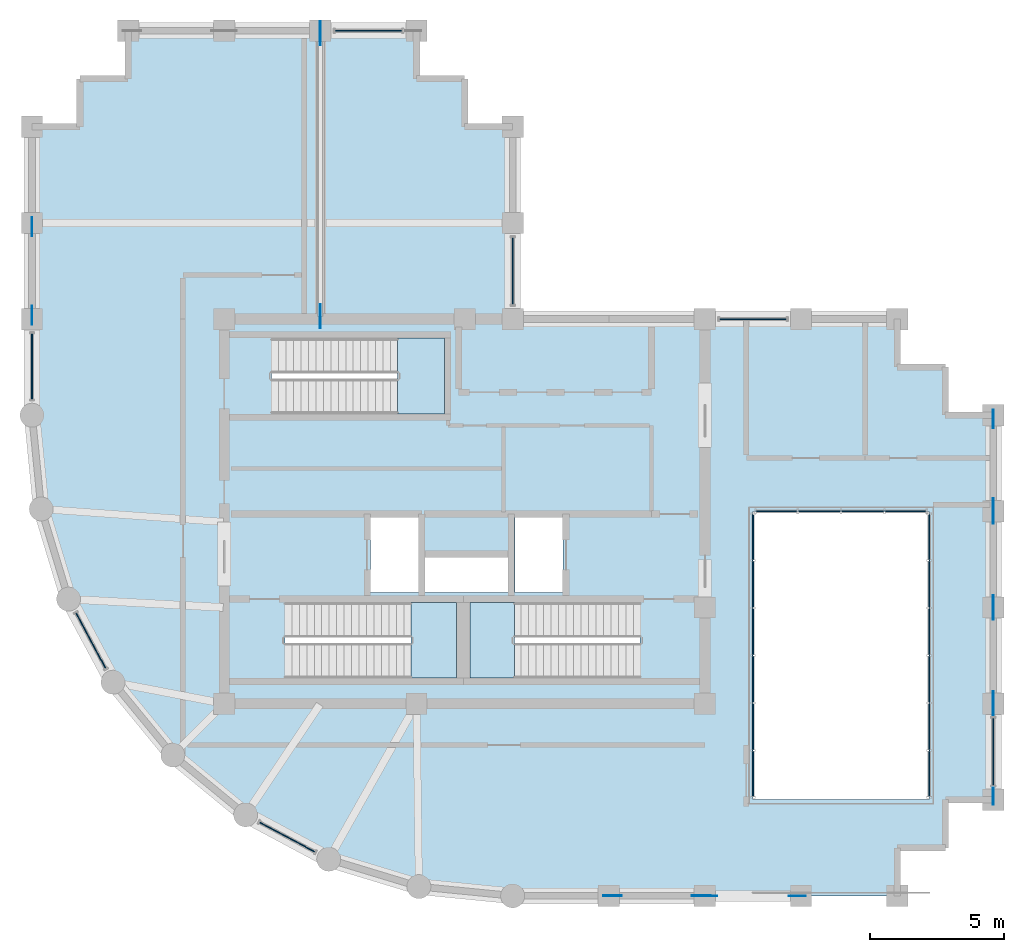
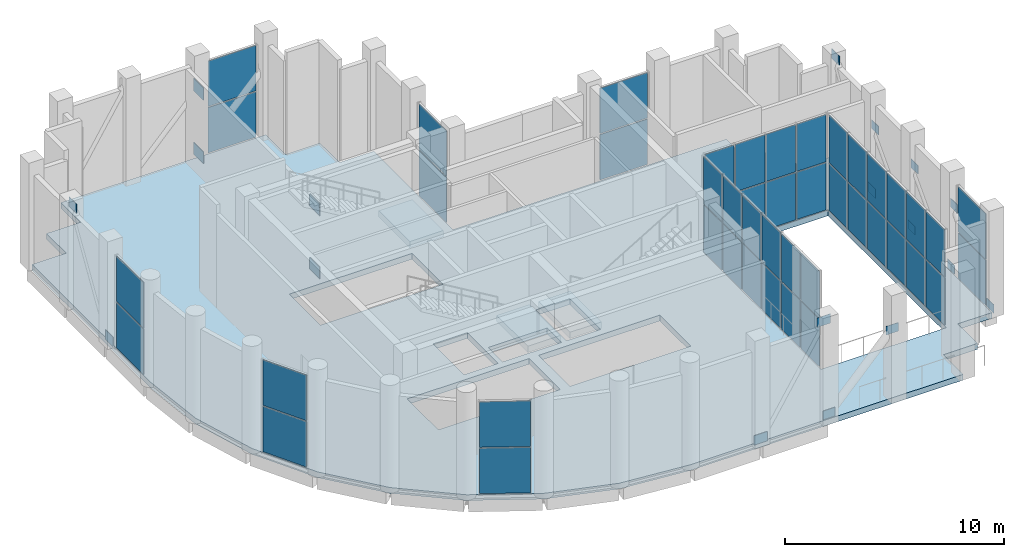
# One storey, part 13 of 17: 64 plates, 4 slabs, 13 elements without a shape of their own.
"""IFC4 building model written with IfcOpenShell, lengths in metres."""

from ifc_helpers import new_model, si_unit, direction, frame, origin, origin_2d, place, context, subcontext, project, spatial, polyline, rectangle, outline, extrude, material, layer, layer_set, type_object, element, aggregate, save


model = new_model("IFC4")

# Units and contexts
model_context = context("Model", 3, precision=1e-05, world=origin(), true_north=direction((0.0, 1.0)))
body_context = subcontext(model_context, "Body", "Model", "MODEL_VIEW")
ifc_project = project(units=[si_unit("LENGTHUNIT", "METRE"), si_unit("AREAUNIT", "SQUARE_METRE"), si_unit("VOLUMEUNIT", "CUBIC_METRE"), si_unit("PLANEANGLEUNIT", "RADIAN"), si_unit("MASSUNIT", "GRAM", prefix="KILO")], contexts=[model_context])

# Site, building, storey
site_placement = place(None, origin())
site = spatial("IfcSite", under=ifc_project, at=site_placement, CompositionType="ELEMENT")
building_placement = place(site_placement, origin())
building = spatial("IfcBuilding", under=site, at=building_placement, Name="Solnavia Interchange Tower", CompositionType="ELEMENT")
storey_placement = place(building_placement, frame((0.0, 0.0, 249.800048828125)))
storey = spatial("IfcBuildingStorey", under=building, at=storey_placement, Name="L63", CompositionType="ELEMENT", Elevation=249.800048828125)

# Curtain wall, plates
ifc_material_1 = material(Name="Aluminium Alloy 6063-T6", Category="aluminium")
ifc_layer_1 = layer(ifc_material_1, 0.199951171875)
ifc_layer_set_1 = layer_set([ifc_layer_1], Name="Aluminium Alloy 6063-T6")
curtain_wall_type = type_object("IfcCurtainWallType", Name="CurtainWall-Louvre-CTW5", PredefinedType="NOTDEFINED", material=ifc_layer_set_1)
curtain_wall_1_placement = place(storey_placement, origin())
curtain_wall_1 = element("IfcCurtainWall", 1, at=curtain_wall_1_placement, inside=storey, type_object=curtain_wall_type, Name="CTW-L63-WP1 CTW-5 curtain wall", PredefinedType="NOTDEFINED")
ifc_material_2 = material(Name="Powder-Coated Aluminium Louvre", Category="aluminium")
ifc_layer_2 = layer(ifc_material_2, 0.0400390625)
ifc_layer_set_2 = layer_set([ifc_layer_2], Name="Powder-Coated Aluminium Louvre")
plate_type_1 = type_object("IfcPlateType", Name="CW-Panel-Louvre-40", PredefinedType="CURTAIN_PANEL", material=ifc_layer_set_2)
plate_1_placement = place(storey_placement, frame((35.086181640625, 18.0, 0.059814453125), z_axis=(0.0, 0.0, 1.0), x_axis=(1.0, 0.0, 0.0)))
plate_1 = element("IfcPlate", 2, at=plate_1_placement, type_object=plate_type_1, Name="CTW-5 panel 1.1", PredefinedType="CURTAIN_PANEL", context=body_context, shape_type="SweptSolid", body=[
    extrude(rectangle(XDim=1.5224609375, YDim=0.0400390625, at=origin_2d()), origin(), (0.0, 0.0, 1.0), 2.6201171875),
])
plate_2_placement = place(storey_placement, frame((35.086181640625, 18.0, 2.739990234375), z_axis=(0.0, 0.0, 1.0), x_axis=(1.0, 0.0, 0.0)))
plate_2 = element("IfcPlate", 3, at=plate_2_placement, type_object=plate_type_1, Name="CTW-5 panel 1.2", PredefinedType="CURTAIN_PANEL", context=body_context, shape_type="SweptSolid", body=[
    extrude(rectangle(XDim=1.5224609375, YDim=0.0400390625, at=origin_2d()), origin(), (0.0, 0.0, 1.0), 2.6201171875),
])
plate_3_placement = place(storey_placement, frame((36.68994140625, 18.0, 0.059814453125), z_axis=(0.0, 0.0, 1.0), x_axis=(1.0, 0.0, 0.0)))
plate_3 = element("IfcPlate", 4, at=plate_3_placement, type_object=plate_type_1, Name="CTW-5 panel 2.1", PredefinedType="CURTAIN_PANEL", context=body_context, shape_type="SweptSolid", body=[
    extrude(rectangle(XDim=1.554931640625, YDim=0.0400390625, at=origin_2d()), origin(), (0.0, 0.0, 1.0), 2.6201171875),
])
plate_4_placement = place(storey_placement, frame((36.68994140625, 18.0, 2.739990234375), z_axis=(0.0, 0.0, 1.0), x_axis=(1.0, 0.0, 0.0)))
plate_4 = element("IfcPlate", 5, at=plate_4_placement, type_object=plate_type_1, Name="CTW-5 panel 2.2", PredefinedType="CURTAIN_PANEL", context=body_context, shape_type="SweptSolid", body=[
    extrude(rectangle(XDim=1.554931640625, YDim=0.0400390625, at=origin_2d()), origin(), (0.0, 0.0, 1.0), 2.6201171875),
])
plate_5_placement = place(storey_placement, frame((38.31005859375, 18.0, 0.059814453125), z_axis=(0.0, 0.0, 1.0), x_axis=(1.0, 0.0, 0.0)))
plate_5 = element("IfcPlate", 6, at=plate_5_placement, type_object=plate_type_1, Name="CTW-5 panel 3.1", PredefinedType="CURTAIN_PANEL", context=body_context, shape_type="SweptSolid", body=[
    extrude(rectangle(XDim=1.554931640625, YDim=0.0400390625, at=origin_2d()), origin(), (0.0, 0.0, 1.0), 2.6201171875),
])
plate_6_placement = place(storey_placement, frame((38.31005859375, 18.0, 2.739990234375), z_axis=(0.0, 0.0, 1.0), x_axis=(1.0, 0.0, 0.0)))
plate_6 = element("IfcPlate", 7, at=plate_6_placement, type_object=plate_type_1, Name="CTW-5 panel 3.2", PredefinedType="CURTAIN_PANEL", context=body_context, shape_type="SweptSolid", body=[
    extrude(rectangle(XDim=1.554931640625, YDim=0.0400390625, at=origin_2d()), origin(), (0.0, 0.0, 1.0), 2.6201171875),
])
plate_7_placement = place(storey_placement, frame((39.913818359375, 18.0, 0.059814453125), z_axis=(0.0, 0.0, 1.0), x_axis=(1.0, 0.0, 0.0)))
plate_7 = element("IfcPlate", 8, at=plate_7_placement, type_object=plate_type_1, Name="CTW-5 panel 4.1", PredefinedType="CURTAIN_PANEL", context=body_context, shape_type="SweptSolid", body=[
    extrude(rectangle(XDim=1.5224609375, YDim=0.0400390625, at=origin_2d()), origin(), (0.0, 0.0, 1.0), 2.6201171875),
])
plate_8_placement = place(storey_placement, frame((39.913818359375, 18.0, 2.739990234375), z_axis=(0.0, 0.0, 1.0), x_axis=(1.0, 0.0, 0.0)))
plate_8 = element("IfcPlate", 9, at=plate_8_placement, type_object=plate_type_1, Name="CTW-5 panel 4.2", PredefinedType="CURTAIN_PANEL", context=body_context, shape_type="SweptSolid", body=[
    extrude(rectangle(XDim=1.5224609375, YDim=0.0400390625, at=origin_2d()), origin(), (0.0, 0.0, 1.0), 2.6201171875),
])
aggregate(curtain_wall_1, [plate_1, plate_2, plate_3, plate_4, plate_5, plate_6, plate_7, plate_8])

curtain_wall_2_placement = place(storey_placement, origin())
curtain_wall_2 = element("IfcCurtainWall", 10, at=curtain_wall_2_placement, inside=storey, type_object=curtain_wall_type, Name="CTW-L63-WP2 CTW-5 curtain wall", PredefinedType="NOTDEFINED")
plate_9_placement = place(storey_placement, frame((34.199951171875, 8.166259765625, 0.06005859375), z_axis=(0.0, 0.0, 1.0), x_axis=(0.0, 1.0, 0.0)))
plate_9 = element("IfcPlate", 11, at=plate_9_placement, type_object=plate_type_1, Name="CTW-5 panel 1.1", PredefinedType="CURTAIN_PANEL", context=body_context, shape_type="SweptSolid", body=[
    extrude(rectangle(XDim=1.6826171875, YDim=0.0400390625, at=origin_2d()), origin(), (0.0, 0.0, 1.0), 2.625),
])
plate_10_placement = place(storey_placement, frame((34.199951171875, 8.166259765625, 2.744873046875), z_axis=(0.0, 0.0, 1.0), x_axis=(0.0, 1.0, 0.0)))
plate_10 = element("IfcPlate", 12, at=plate_10_placement, type_object=plate_type_1, Name="CTW-5 panel 1.2", PredefinedType="CURTAIN_PANEL", context=body_context, shape_type="SweptSolid", body=[
    extrude(rectangle(XDim=1.6826171875, YDim=0.0400390625, at=origin_2d()), origin(), (0.0, 0.0, 1.0), 2.625),
])
plate_11_placement = place(storey_placement, frame((34.199951171875, 9.929931640625, 0.06005859375), z_axis=(0.0, 0.0, 1.0), x_axis=(0.0, 1.0, 0.0)))
plate_11 = element("IfcPlate", 13, at=plate_11_placement, type_object=plate_type_1, Name="CTW-5 panel 2.1", PredefinedType="CURTAIN_PANEL", context=body_context, shape_type="SweptSolid", body=[
    extrude(rectangle(XDim=1.715087890625, YDim=0.0400390625, at=origin_2d()), origin(), (0.0, 0.0, 1.0), 2.625),
])
plate_12_placement = place(storey_placement, frame((34.199951171875, 9.929931640625, 2.744873046875), z_axis=(0.0, 0.0, 1.0), x_axis=(0.0, 1.0, 0.0)))
plate_12 = element("IfcPlate", 14, at=plate_12_placement, type_object=plate_type_1, Name="CTW-5 panel 2.2", PredefinedType="CURTAIN_PANEL", context=body_context, shape_type="SweptSolid", body=[
    extrude(rectangle(XDim=1.715087890625, YDim=0.0400390625, at=origin_2d()), origin(), (0.0, 0.0, 1.0), 2.625),
])
plate_13_placement = place(storey_placement, frame((34.199951171875, 11.7099609375, 0.06005859375), z_axis=(0.0, 0.0, 1.0), x_axis=(0.0, 1.0, 0.0)))
plate_13 = element("IfcPlate", 15, at=plate_13_placement, type_object=plate_type_1, Name="CTW-5 panel 3.1", PredefinedType="CURTAIN_PANEL", context=body_context, shape_type="SweptSolid", body=[
    extrude(rectangle(XDim=1.715087890625, YDim=0.0400390625, at=origin_2d()), origin(), (0.0, 0.0, 1.0), 2.625),
])
plate_14_placement = place(storey_placement, frame((34.199951171875, 11.7099609375, 2.744873046875), z_axis=(0.0, 0.0, 1.0), x_axis=(0.0, 1.0, 0.0)))
plate_14 = element("IfcPlate", 16, at=plate_14_placement, type_object=plate_type_1, Name="CTW-5 panel 3.2", PredefinedType="CURTAIN_PANEL", context=body_context, shape_type="SweptSolid", body=[
    extrude(rectangle(XDim=1.715087890625, YDim=0.0400390625, at=origin_2d()), origin(), (0.0, 0.0, 1.0), 2.625),
])
plate_15_placement = place(storey_placement, frame((34.199951171875, 13.489990234375, 0.06005859375), z_axis=(0.0, 0.0, 1.0), x_axis=(0.0, 1.0, 0.0)))
plate_15 = element("IfcPlate", 17, at=plate_15_placement, type_object=plate_type_1, Name="CTW-5 panel 4.1", PredefinedType="CURTAIN_PANEL", context=body_context, shape_type="SweptSolid", body=[
    extrude(rectangle(XDim=1.715087890625, YDim=0.0400390625, at=origin_2d()), origin(), (0.0, 0.0, 1.0), 2.625),
])
plate_16_placement = place(storey_placement, frame((34.199951171875, 13.489990234375, 2.744873046875), z_axis=(0.0, 0.0, 1.0), x_axis=(0.0, 1.0, 0.0)))
plate_16 = element("IfcPlate", 18, at=plate_16_placement, type_object=plate_type_1, Name="CTW-5 panel 4.2", PredefinedType="CURTAIN_PANEL", context=body_context, shape_type="SweptSolid", body=[
    extrude(rectangle(XDim=1.715087890625, YDim=0.0400390625, at=origin_2d()), origin(), (0.0, 0.0, 1.0), 2.625),
])
plate_17_placement = place(storey_placement, frame((34.199951171875, 15.27001953125, 0.06005859375), z_axis=(0.0, 0.0, 1.0), x_axis=(0.0, 1.0, 0.0)))
plate_17 = element("IfcPlate", 19, at=plate_17_placement, type_object=plate_type_1, Name="CTW-5 panel 5.1", PredefinedType="CURTAIN_PANEL", context=body_context, shape_type="SweptSolid", body=[
    extrude(rectangle(XDim=1.715087890625, YDim=0.0400390625, at=origin_2d()), origin(), (0.0, 0.0, 1.0), 2.625),
])
plate_18_placement = place(storey_placement, frame((34.199951171875, 15.27001953125, 2.744873046875), z_axis=(0.0, 0.0, 1.0), x_axis=(0.0, 1.0, 0.0)))
plate_18 = element("IfcPlate", 20, at=plate_18_placement, type_object=plate_type_1, Name="CTW-5 panel 5.2", PredefinedType="CURTAIN_PANEL", context=body_context, shape_type="SweptSolid", body=[
    extrude(rectangle(XDim=1.715087890625, YDim=0.0400390625, at=origin_2d()), origin(), (0.0, 0.0, 1.0), 2.625),
])
plate_19_placement = place(storey_placement, frame((34.199951171875, 17.03369140625, 0.06005859375), z_axis=(0.0, 0.0, 1.0), x_axis=(0.0, 1.0, 0.0)))
plate_19 = element("IfcPlate", 21, at=plate_19_placement, type_object=plate_type_1, Name="CTW-5 panel 6.1", PredefinedType="CURTAIN_PANEL", context=body_context, shape_type="SweptSolid", body=[
    extrude(rectangle(XDim=1.6826171875, YDim=0.0400390625, at=origin_2d()), origin(), (0.0, 0.0, 1.0), 2.625),
])
plate_20_placement = place(storey_placement, frame((34.199951171875, 17.03369140625, 2.744873046875), z_axis=(0.0, 0.0, 1.0), x_axis=(0.0, 1.0, 0.0)))
plate_20 = element("IfcPlate", 22, at=plate_20_placement, type_object=plate_type_1, Name="CTW-5 panel 6.2", PredefinedType="CURTAIN_PANEL", context=body_context, shape_type="SweptSolid", body=[
    extrude(rectangle(XDim=1.6826171875, YDim=0.0400390625, at=origin_2d()), origin(), (0.0, 0.0, 1.0), 2.625),
])
aggregate(curtain_wall_2, [plate_9, plate_10, plate_11, plate_12, plate_13, plate_14, plate_15, plate_16, plate_17, plate_18, plate_19, plate_20])

curtain_wall_3_placement = place(storey_placement, origin())
curtain_wall_3 = element("IfcCurtainWall", 23, at=curtain_wall_3_placement, inside=storey, type_object=curtain_wall_type, Name="CTW-L63-WP3 CTW-5 curtain wall", PredefinedType="NOTDEFINED")
plate_21_placement = place(storey_placement, frame((40.800048828125, 8.166259765625, 0.06005859375), z_axis=(0.0, 0.0, 1.0), x_axis=(0.0, 1.0, 0.0)))
plate_21 = element("IfcPlate", 24, at=plate_21_placement, type_object=plate_type_1, Name="CTW-5 panel 1.1", PredefinedType="CURTAIN_PANEL", context=body_context, shape_type="SweptSolid", body=[
    extrude(rectangle(XDim=1.6826171875, YDim=0.0400390625, at=origin_2d()), origin(), (0.0, 0.0, 1.0), 2.625),
])
plate_22_placement = place(storey_placement, frame((40.800048828125, 8.166259765625, 2.744873046875), z_axis=(0.0, 0.0, 1.0), x_axis=(0.0, 1.0, 0.0)))
plate_22 = element("IfcPlate", 25, at=plate_22_placement, type_object=plate_type_1, Name="CTW-5 panel 1.2", PredefinedType="CURTAIN_PANEL", context=body_context, shape_type="SweptSolid", body=[
    extrude(rectangle(XDim=1.6826171875, YDim=0.0400390625, at=origin_2d()), origin(), (0.0, 0.0, 1.0), 2.625),
])
plate_23_placement = place(storey_placement, frame((40.800048828125, 9.929931640625, 0.06005859375), z_axis=(0.0, 0.0, 1.0), x_axis=(0.0, 1.0, 0.0)))
plate_23 = element("IfcPlate", 26, at=plate_23_placement, type_object=plate_type_1, Name="CTW-5 panel 2.1", PredefinedType="CURTAIN_PANEL", context=body_context, shape_type="SweptSolid", body=[
    extrude(rectangle(XDim=1.715087890625, YDim=0.0400390625, at=origin_2d()), origin(), (0.0, 0.0, 1.0), 2.625),
])
plate_24_placement = place(storey_placement, frame((40.800048828125, 9.929931640625, 2.744873046875), z_axis=(0.0, 0.0, 1.0), x_axis=(0.0, 1.0, 0.0)))
plate_24 = element("IfcPlate", 27, at=plate_24_placement, type_object=plate_type_1, Name="CTW-5 panel 2.2", PredefinedType="CURTAIN_PANEL", context=body_context, shape_type="SweptSolid", body=[
    extrude(rectangle(XDim=1.715087890625, YDim=0.0400390625, at=origin_2d()), origin(), (0.0, 0.0, 1.0), 2.625),
])
plate_25_placement = place(storey_placement, frame((40.800048828125, 11.7099609375, 0.06005859375), z_axis=(0.0, 0.0, 1.0), x_axis=(0.0, 1.0, 0.0)))
plate_25 = element("IfcPlate", 28, at=plate_25_placement, type_object=plate_type_1, Name="CTW-5 panel 3.1", PredefinedType="CURTAIN_PANEL", context=body_context, shape_type="SweptSolid", body=[
    extrude(rectangle(XDim=1.715087890625, YDim=0.0400390625, at=origin_2d()), origin(), (0.0, 0.0, 1.0), 2.625),
])
plate_26_placement = place(storey_placement, frame((40.800048828125, 11.7099609375, 2.744873046875), z_axis=(0.0, 0.0, 1.0), x_axis=(0.0, 1.0, 0.0)))
plate_26 = element("IfcPlate", 29, at=plate_26_placement, type_object=plate_type_1, Name="CTW-5 panel 3.2", PredefinedType="CURTAIN_PANEL", context=body_context, shape_type="SweptSolid", body=[
    extrude(rectangle(XDim=1.715087890625, YDim=0.0400390625, at=origin_2d()), origin(), (0.0, 0.0, 1.0), 2.625),
])
plate_27_placement = place(storey_placement, frame((40.800048828125, 13.489990234375, 0.06005859375), z_axis=(0.0, 0.0, 1.0), x_axis=(0.0, 1.0, 0.0)))
plate_27 = element("IfcPlate", 30, at=plate_27_placement, type_object=plate_type_1, Name="CTW-5 panel 4.1", PredefinedType="CURTAIN_PANEL", context=body_context, shape_type="SweptSolid", body=[
    extrude(rectangle(XDim=1.715087890625, YDim=0.0400390625, at=origin_2d()), origin(), (0.0, 0.0, 1.0), 2.625),
])
plate_28_placement = place(storey_placement, frame((40.800048828125, 13.489990234375, 2.744873046875), z_axis=(0.0, 0.0, 1.0), x_axis=(0.0, 1.0, 0.0)))
plate_28 = element("IfcPlate", 31, at=plate_28_placement, type_object=plate_type_1, Name="CTW-5 panel 4.2", PredefinedType="CURTAIN_PANEL", context=body_context, shape_type="SweptSolid", body=[
    extrude(rectangle(XDim=1.715087890625, YDim=0.0400390625, at=origin_2d()), origin(), (0.0, 0.0, 1.0), 2.625),
])
plate_29_placement = place(storey_placement, frame((40.800048828125, 15.27001953125, 0.06005859375), z_axis=(0.0, 0.0, 1.0), x_axis=(0.0, 1.0, 0.0)))
plate_29 = element("IfcPlate", 32, at=plate_29_placement, type_object=plate_type_1, Name="CTW-5 panel 5.1", PredefinedType="CURTAIN_PANEL", context=body_context, shape_type="SweptSolid", body=[
    extrude(rectangle(XDim=1.715087890625, YDim=0.0400390625, at=origin_2d()), origin(), (0.0, 0.0, 1.0), 2.625),
])
plate_30_placement = place(storey_placement, frame((40.800048828125, 15.27001953125, 2.744873046875), z_axis=(0.0, 0.0, 1.0), x_axis=(0.0, 1.0, 0.0)))
plate_30 = element("IfcPlate", 33, at=plate_30_placement, type_object=plate_type_1, Name="CTW-5 panel 5.2", PredefinedType="CURTAIN_PANEL", context=body_context, shape_type="SweptSolid", body=[
    extrude(rectangle(XDim=1.715087890625, YDim=0.0400390625, at=origin_2d()), origin(), (0.0, 0.0, 1.0), 2.625),
])
plate_31_placement = place(storey_placement, frame((40.800048828125, 17.03369140625, 0.06005859375), z_axis=(0.0, 0.0, 1.0), x_axis=(0.0, 1.0, 0.0)))
plate_31 = element("IfcPlate", 34, at=plate_31_placement, type_object=plate_type_1, Name="CTW-5 panel 6.1", PredefinedType="CURTAIN_PANEL", context=body_context, shape_type="SweptSolid", body=[
    extrude(rectangle(XDim=1.6826171875, YDim=0.0400390625, at=origin_2d()), origin(), (0.0, 0.0, 1.0), 2.625),
])
plate_32_placement = place(storey_placement, frame((40.800048828125, 17.03369140625, 2.744873046875), z_axis=(0.0, 0.0, 1.0), x_axis=(0.0, 1.0, 0.0)))
plate_32 = element("IfcPlate", 35, at=plate_32_placement, type_object=plate_type_1, Name="CTW-5 panel 6.2", PredefinedType="CURTAIN_PANEL", context=body_context, shape_type="SweptSolid", body=[
    extrude(rectangle(XDim=1.6826171875, YDim=0.0400390625, at=origin_2d()), origin(), (0.0, 0.0, 1.0), 2.625),
])
aggregate(curtain_wall_3, [plate_21, plate_22, plate_23, plate_24, plate_25, plate_26, plate_27, plate_28, plate_29, plate_30, plate_31, plate_32])

curtain_wall_4_placement = place(storey_placement, origin())
curtain_wall_4 = element("IfcCurtainWall", 36, at=curtain_wall_4_placement, inside=storey, type_object=curtain_wall_type, Name="CTW-L63-L09 CTW-5 curtain wall", PredefinedType="NOTDEFINED")
plate_33_placement = place(storey_placement, frame((43.199951171875, 9.0, 0.06005859375), z_axis=(0.0, 0.0, 1.0), x_axis=(0.0, 1.0, 0.0)))
plate_33 = element("IfcPlate", 37, at=plate_33_placement, type_object=plate_type_1, Name="CTW-5 panel 1.1", PredefinedType="CURTAIN_PANEL", context=body_context, shape_type="SweptSolid", body=[
    extrude(rectangle(XDim=2.5048828125, YDim=0.0400390625, at=origin_2d()), origin(), (0.0, 0.0, 1.0), 2.52490234375),
])
plate_34_placement = place(storey_placement, frame((43.199951171875, 9.0, 2.64501953125), z_axis=(0.0, 0.0, 1.0), x_axis=(0.0, 1.0, 0.0)))
plate_34 = element("IfcPlate", 38, at=plate_34_placement, type_object=plate_type_1, Name="CTW-5 panel 1.2", PredefinedType="CURTAIN_PANEL", context=body_context, shape_type="SweptSolid", body=[
    extrude(rectangle(XDim=2.5048828125, YDim=0.0400390625, at=origin_2d()), origin(), (0.0, 0.0, 1.0), 2.52490234375),
])
aggregate(curtain_wall_4, [plate_33, plate_34])

curtain_wall_5_placement = place(storey_placement, origin())
curtain_wall_5 = element("IfcCurtainWall", 39, at=curtain_wall_5_placement, inside=storey, type_object=curtain_wall_type, Name="CTW-L63-L18 CTW-5 curtain wall", PredefinedType="NOTDEFINED")
plate_35_placement = place(storey_placement, frame((34.199951171875, 25.199951171875, 0.06005859375), z_axis=(0.0, 0.0, 1.0), x_axis=(-1.0, 0.0, 0.0)))
plate_35 = element("IfcPlate", 40, at=plate_35_placement, type_object=plate_type_1, Name="CTW-5 panel 1.1", PredefinedType="CURTAIN_PANEL", context=body_context, shape_type="SweptSolid", body=[
    extrude(rectangle(XDim=2.5048828125, YDim=0.0400390625, at=origin_2d()), origin(), (0.0, 0.0, 1.0), 2.52490234375),
])
plate_36_placement = place(storey_placement, frame((34.199951171875, 25.199951171875, 2.64501953125), z_axis=(0.0, 0.0, 1.0), x_axis=(-1.0, 0.0, 0.0)))
plate_36 = element("IfcPlate", 41, at=plate_36_placement, type_object=plate_type_1, Name="CTW-5 panel 1.2", PredefinedType="CURTAIN_PANEL", context=body_context, shape_type="SweptSolid", body=[
    extrude(rectangle(XDim=2.5048828125, YDim=0.0400390625, at=origin_2d()), origin(), (0.0, 0.0, 1.0), 2.52490234375),
])
aggregate(curtain_wall_5, [plate_35, plate_36])

curtain_wall_6_placement = place(storey_placement, origin())
curtain_wall_6 = element("IfcCurtainWall", 42, at=curtain_wall_6_placement, inside=storey, type_object=curtain_wall_type, Name="CTW-L63-L21 CTW-5 curtain wall", PredefinedType="NOTDEFINED")
plate_37_placement = place(storey_placement, frame((25.199951171875, 27.0, 0.06005859375), z_axis=(0.0, 0.0, 1.0), x_axis=(0.0, 1.0, 0.0)))
plate_37 = element("IfcPlate", 43, at=plate_37_placement, type_object=plate_type_1, Name="CTW-5 panel 1.1", PredefinedType="CURTAIN_PANEL", context=body_context, shape_type="SweptSolid", body=[
    extrude(rectangle(XDim=2.5048828125, YDim=0.0400390625, at=origin_2d()), origin(), (0.0, 0.0, 1.0), 2.52490234375),
])
plate_38_placement = place(storey_placement, frame((25.199951171875, 27.0, 2.64501953125), z_axis=(0.0, 0.0, 1.0), x_axis=(0.0, 1.0, 0.0)))
plate_38 = element("IfcPlate", 44, at=plate_38_placement, type_object=plate_type_1, Name="CTW-5 panel 1.2", PredefinedType="CURTAIN_PANEL", context=body_context, shape_type="SweptSolid", body=[
    extrude(rectangle(XDim=2.5048828125, YDim=0.0400390625, at=origin_2d()), origin(), (0.0, 0.0, 1.0), 2.52490234375),
])
aggregate(curtain_wall_6, [plate_37, plate_38])

curtain_wall_7_placement = place(storey_placement, origin())
curtain_wall_7 = element("IfcCurtainWall", 45, at=curtain_wall_7_placement, inside=storey, type_object=curtain_wall_type, Name="CTW-L63-L27 CTW-5 curtain wall", PredefinedType="NOTDEFINED")
plate_39_placement = place(storey_placement, frame((19.800048828125, 36.0, 0.06005859375), z_axis=(0.0, 0.0, 1.0), x_axis=(-1.0, 0.0, 0.0)))
plate_39 = element("IfcPlate", 46, at=plate_39_placement, type_object=plate_type_1, Name="CTW-5 panel 1.1", PredefinedType="CURTAIN_PANEL", context=body_context, shape_type="SweptSolid", body=[
    extrude(rectangle(XDim=2.5048828125, YDim=0.0400390625, at=origin_2d()), origin(), (0.0, 0.0, 1.0), 2.52490234375),
])
plate_40_placement = place(storey_placement, frame((19.800048828125, 36.0, 2.64501953125), z_axis=(0.0, 0.0, 1.0), x_axis=(-1.0, 0.0, 0.0)))
plate_40 = element("IfcPlate", 47, at=plate_40_placement, type_object=plate_type_1, Name="CTW-5 panel 1.2", PredefinedType="CURTAIN_PANEL", context=body_context, shape_type="SweptSolid", body=[
    extrude(rectangle(XDim=2.5048828125, YDim=0.0400390625, at=origin_2d()), origin(), (0.0, 0.0, 1.0), 2.52490234375),
])
aggregate(curtain_wall_7, [plate_39, plate_40])

curtain_wall_8_placement = place(storey_placement, origin())
curtain_wall_8 = element("IfcCurtainWall", 48, at=curtain_wall_8_placement, inside=storey, type_object=curtain_wall_type, Name="CTW-L63-L36 CTW-5 curtain wall", PredefinedType="NOTDEFINED")
plate_41_placement = place(storey_placement, frame((7.199951171875, 23.425048828125, 0.06005859375), z_axis=(0.0, 0.0, 1.0), x_axis=(0.0, -1.0, 0.0)))
plate_41 = element("IfcPlate", 49, at=plate_41_placement, type_object=plate_type_1, Name="CTW-5 panel 1.1", PredefinedType="CURTAIN_PANEL", context=body_context, shape_type="SweptSolid", body=[
    extrude(rectangle(XDim=2.455078125, YDim=0.0400390625, at=origin_2d()), origin(), (0.0, 0.0, 1.0), 2.52490234375),
])
plate_42_placement = place(storey_placement, frame((7.199951171875, 23.425048828125, 2.64501953125), z_axis=(0.0, 0.0, 1.0), x_axis=(0.0, -1.0, 0.0)))
plate_42 = element("IfcPlate", 50, at=plate_42_placement, type_object=plate_type_1, Name="CTW-5 panel 1.2", PredefinedType="CURTAIN_PANEL", context=body_context, shape_type="SweptSolid", body=[
    extrude(rectangle(XDim=2.455078125, YDim=0.0400390625, at=origin_2d()), origin(), (0.0, 0.0, 1.0), 2.52490234375),
])
aggregate(curtain_wall_8, [plate_41, plate_42])

curtain_wall_9_placement = place(storey_placement, origin())
curtain_wall_9 = element("IfcCurtainWall", 51, at=curtain_wall_9_placement, inside=storey, type_object=curtain_wall_type, Name="CTW-L63-L39 CTW-5 curtain wall", PredefinedType="NOTDEFINED")
plate_43_placement = place(storey_placement, frame((9.402099609375, 13.156005859375, 0.06005859375), z_axis=(0.0, 0.0, 1.0), x_axis=(0.471527483948, -0.881851366094, 0.0)))
plate_43 = element("IfcPlate", 52, at=plate_43_placement, type_object=plate_type_1, Name="CTW-5 panel 1.1", PredefinedType="CURTAIN_PANEL", context=body_context, shape_type="SweptSolid", body=[
    extrude(rectangle(XDim=2.333984375, YDim=0.0400390625, at=origin_2d()), origin(), (0.0, 0.0, 1.0), 2.52490234375),
])
plate_44_placement = place(storey_placement, frame((9.402099609375, 13.156005859375, 2.64501953125), z_axis=(0.0, 0.0, 1.0), x_axis=(0.471527483948, -0.881851366094, 0.0)))
plate_44 = element("IfcPlate", 53, at=plate_44_placement, type_object=plate_type_1, Name="CTW-5 panel 1.2", PredefinedType="CURTAIN_PANEL", context=body_context, shape_type="SweptSolid", body=[
    extrude(rectangle(XDim=2.333984375, YDim=0.0400390625, at=origin_2d()), origin(), (0.0, 0.0, 1.0), 2.52490234375),
])
aggregate(curtain_wall_9, [plate_43, plate_44])

curtain_wall_10_placement = place(storey_placement, origin())
curtain_wall_10 = element("IfcCurtainWall", 54, at=curtain_wall_10_placement, inside=storey, type_object=curtain_wall_type, Name="CTW-L63-L42 CTW-5 curtain wall", PredefinedType="NOTDEFINED")
plate_45_placement = place(storey_placement, frame((16.756103515625, 5.802001953125, 0.06005859375), z_axis=(0.0, 0.0, 1.0), x_axis=(0.881851366094, -0.471527483948, 0.0)))
plate_45 = element("IfcPlate", 55, at=plate_45_placement, type_object=plate_type_1, Name="CTW-5 panel 1.1", PredefinedType="CURTAIN_PANEL", context=body_context, shape_type="SweptSolid", body=[
    extrude(rectangle(XDim=2.333984375, YDim=0.0400390625, at=origin_2d()), origin(), (0.0, 0.0, 1.0), 2.52490234375),
])
plate_46_placement = place(storey_placement, frame((16.756103515625, 5.802001953125, 2.64501953125), z_axis=(0.0, 0.0, 1.0), x_axis=(0.881851366094, -0.471527483948, 0.0)))
plate_46 = element("IfcPlate", 56, at=plate_46_placement, type_object=plate_type_1, Name="CTW-5 panel 1.2", PredefinedType="CURTAIN_PANEL", context=body_context, shape_type="SweptSolid", body=[
    extrude(rectangle(XDim=2.333984375, YDim=0.0400390625, at=origin_2d()), origin(), (0.0, 0.0, 1.0), 2.52490234375),
])
aggregate(curtain_wall_10, [plate_45, plate_46])

# Plates
ifc_material_3 = material(Name="Steel S460", Category="steel")
ifc_layer_3 = layer(ifc_material_3, 0.02490234375)
ifc_layer_set_3 = layer_set([ifc_layer_3], Name="Steel S460")
plate_type_2 = type_object("IfcPlateType", Name="Plate-Gusset-640x480x25", PredefinedType="USERDEFINED", material=ifc_layer_set_3)
for number, where, z_axis, x_axis, name in (
    (57, (32.5400390625, 3.60009765625, 0.06005859375), (0.0, 0.0, 1.0), (1.0, 0.0, 0.0), "PLT-L63-GP13 Belt truss gusset plate"),
    (58, (35.860107421875, 3.60009765625, 3.60986328125), (0.0, 0.0, 1.0), (1.0, 0.0, 0.0), "PLT-L63-GP14 Belt truss gusset plate"),
    (59, (43.199951171875, 7.340087890625, 0.06005859375), (0.0, 0.0, 1.0), (0.0, 1.0, 0.0), "PLT-L63-GP15 Belt truss gusset plate"),
    (60, (43.199951171875, 10.659912109375, 3.60986328125), (0.0, 0.0, 1.0), (0.0, 1.0, 0.0), "PLT-L63-GP16 Belt truss gusset plate"),
    (61, (43.199951171875, 10.93994140625, 0.06005859375), (0.0, 0.0, 1.0), (0.0, 1.0, 0.0), "PLT-L63-GP17 Belt truss gusset plate"),
    (62, (43.199951171875, 14.260009765625, 3.60986328125), (0.0, 0.0, 1.0), (0.0, 1.0, 0.0), "PLT-L63-GP18 Belt truss gusset plate"),
    (63, (43.199951171875, 14.5400390625, 0.06005859375), (0.0, 0.0, 1.0), (0.0, 1.0, 0.0), "PLT-L63-GP19 Belt truss gusset plate"),
    (64, (43.199951171875, 17.860107421875, 3.60986328125), (0.0, 0.0, 1.0), (0.0, 1.0, 0.0), "PLT-L63-GP20 Belt truss gusset plate"),
):
    element("IfcPlate", number, at=place(storey_placement, frame(where, z_axis=z_axis, x_axis=x_axis)), inside=storey, type_object=plate_type_2, Name=name, ObjectType="GUSSET PLATE", PredefinedType="USERDEFINED", context=body_context, shape_type="SweptSolid", body=[
        extrude(rectangle(XDim=0.639892578125, YDim=0.02490234375, at=origin_2d()), origin(), (0.0, 0.0, 1.0), 0.47998046875),
    ])
ifc_layer_4 = layer(ifc_material_3, 0.030029296875)
ifc_layer_set_4 = layer_set([ifc_layer_4], Name="Steel S460")
plate_type_3 = type_object("IfcPlateType", Name="Plate-Gusset-700x520x30", PredefinedType="USERDEFINED", material=ifc_layer_set_4)
for number, where, z_axis, x_axis, name in (
    (65, (28.93994140625, 3.60009765625, -0.080078125), (0.0, 0.0, 1.0), (1.0, 0.0, 0.0), "PLT-L63-GP01 Perimeter brace gusset plate"),
    (66, (32.260009765625, 3.60009765625, 5.31005859375), (0.0, 0.0, 1.0), (1.0, 0.0, 0.0), "PLT-L63-GP02 Perimeter brace gusset plate"),
    (67, (7.199951171875, 25.340087890625, -0.080078125), (0.0, 0.0, 1.0), (0.0, 1.0, 0.0), "PLT-L63-GP03 Perimeter brace gusset plate"),
    (68, (7.199951171875, 28.659912109375, 5.31005859375), (0.0, 0.0, 1.0), (0.0, 1.0, 0.0), "PLT-L63-GP04 Perimeter brace gusset plate"),
    (69, (43.199951171875, 18.139892578125, -0.080078125), (0.0, 0.0, 1.0), (0.0, 1.0, 0.0), "PLT-L63-GP05 Perimeter brace gusset plate"),
    (70, (43.199951171875, 21.4599609375, 5.31005859375), (0.0, 0.0, 1.0), (0.0, 1.0, 0.0), "PLT-L63-GP06 Perimeter brace gusset plate"),
):
    element("IfcPlate", number, at=place(storey_placement, frame(where, z_axis=z_axis, x_axis=x_axis)), inside=storey, type_object=plate_type_3, Name=name, ObjectType="GUSSET PLATE", PredefinedType="USERDEFINED", context=body_context, shape_type="SweptSolid", body=[
        extrude(rectangle(XDim=0.699951171875, YDim=0.030029296875, at=origin_2d()), origin(), (0.0, 0.0, 1.0), 0.52001953125),
    ])
ifc_layer_5 = layer(ifc_material_3, 0.035888671875)
ifc_layer_set_5 = layer_set([ifc_layer_5], Name="Steel S460")
plate_type_4 = type_object("IfcPlateType", Name="Plate-Gusset-900x680x36", PredefinedType="USERDEFINED", material=ifc_layer_set_5)
for number, where, z_axis, x_axis, name in (
    (71, (18.0, 25.300048828125, -0.0400390625), (0.0, 0.0, 1.0), (0.0, 1.0, 0.0), "PLT-L63-GP09 Outrigger node gusset plate"),
    (72, (18.0, 35.89990234375, -0.0400390625), (0.0, 0.0, 1.0), (0.0, 1.0, 0.0), "PLT-L63-GP10 Outrigger node gusset plate"),
    (73, (18.0, 25.300048828125, 3.509765625), (0.0, 0.0, 1.0), (0.0, 1.0, 0.0), "PLT-L63-GP11 Outrigger node gusset plate"),
    (74, (18.0, 35.89990234375, 3.509765625), (0.0, 0.0, 1.0), (0.0, 1.0, 0.0), "PLT-L63-GP12 Outrigger node gusset plate"),
):
    element("IfcPlate", number, at=place(storey_placement, frame(where, z_axis=z_axis, x_axis=x_axis)), inside=storey, type_object=plate_type_4, Name=name, ObjectType="GUSSET PLATE", PredefinedType="USERDEFINED", context=body_context, shape_type="SweptSolid", body=[
        extrude(rectangle(XDim=0.89990234375, YDim=0.035888671875, at=origin_2d()), origin(), (0.0, 0.0, 1.0), 0.679931640625),
    ])

# Slab
ifc_material_4 = material(Name="Concrete C40/50", Category="concrete")
ifc_layer_6 = layer(ifc_material_4, 0.320068359375)
ifc_layer_set_6 = layer_set([ifc_layer_6], Name="Concrete C40/50")
slab_type_1 = type_object("IfcSlabType", Name="Slab-Special-320", PredefinedType="FLOOR", material=ifc_layer_set_6)
slab_1_placement = place(storey_placement, frame((0.0, 0.0, -0.320068359375)))
element("IfcSlab", 75, at=slab_1_placement, inside=storey, type_object=slab_type_1, Name="SLB-L63-01 Structural floor slab", PredefinedType="FLOOR", context=body_context, shape_type="SweptSolid", body=[
    extrude(outline(polyline([(25.199951171875, 3.60009765625), (39.60009765625, 3.60009765625), (39.60009765625, 5.39990234375), (41.39990234375, 5.39990234375), (41.39990234375, 7.199951171875), (43.199951171875, 7.199951171875), (43.199951171875, 21.60009765625), (41.39990234375, 21.60009765625), (41.39990234375, 23.39990234375), (39.60009765625, 23.39990234375), (39.60009765625, 25.199951171875), (25.199951171875, 25.199951171875), (25.199951171875, 32.39990234375), (23.39990234375, 32.39990234375), (23.39990234375, 34.199951171875), (21.60009765625, 34.199951171875), (21.60009765625, 36.0), (10.800048828125, 36.0), (10.800048828125, 34.199951171875), (9.0, 34.199951171875), (9.0, 32.39990234375), (7.199951171875, 32.39990234375), (7.199951171875, 21.60009765625), (7.5458984375, 18.087890625), (8.570068359375, 14.7119140625), (10.23388671875, 11.60009765625), (12.471923828125, 8.8720703125), (15.199951171875, 6.634033203125), (18.31201171875, 4.969970703125), (21.68798828125, 3.946044921875), (25.199951171875, 3.60009765625)]), holes=[polyline([(16.675048828125, 11.75), (23.10009765625, 11.75), (23.10009765625, 14.590087890625), (16.675048828125, 14.590087890625), (16.675048828125, 11.75)]), polyline([(23.60009765625, 11.75), (29.97509765625, 11.75), (29.97509765625, 14.590087890625), (23.60009765625, 14.590087890625), (23.60009765625, 11.75)]), polyline([(16.175048828125, 21.64990234375), (22.64990234375, 21.64990234375), (22.64990234375, 24.489990234375), (16.175048828125, 24.489990234375), (16.175048828125, 21.64990234375)]), polyline([(19.8798828125, 14.9599609375), (21.679931640625, 14.9599609375), (21.679931640625, 17.780029296875), (19.8798828125, 17.780029296875), (19.8798828125, 14.9599609375)]), polyline([(25.280029296875, 14.9599609375), (27.080078125, 14.9599609375), (27.080078125, 17.780029296875), (25.280029296875, 17.780029296875), (25.280029296875, 14.9599609375)]), polyline([(21.919921875, 14.9599609375), (25.02001953125, 14.9599609375), (25.02001953125, 16.280029296875), (21.919921875, 16.280029296875), (21.919921875, 14.9599609375)]), polyline([(34.199951171875, 7.199951171875), (40.800048828125, 7.199951171875), (40.800048828125, 18.0), (34.199951171875, 18.0), (34.199951171875, 7.199951171875)])]), origin(), (0.0, 0.0, 1.0), 0.320068359375),
])

# Stair, slab
stair_type = type_object("IfcStairType", Name="Stair-Dogleg-RC", PredefinedType="HALF_TURN_STAIR", material=ifc_material_4)
stair_1_placement = place(storey_placement, origin())
stair_1 = element("IfcStair", 76, at=stair_1_placement, inside=storey, type_object=stair_type, Name="L63 Core exit stair 1", PredefinedType="HALF_TURN_STAIR")
ifc_layer_7 = layer(ifc_material_4, 0.35009765625)
ifc_layer_set_7 = layer_set([ifc_layer_7], Name="Concrete C40/50")
slab_type_2 = type_object("IfcSlabType", Name="Slab-StairLanding-350", PredefinedType="LANDING", material=ifc_layer_set_7)
slab_2_placement = place(storey_placement, frame((0.0, 0.0, 2.64990234375)))
slab_2 = element("IfcSlab", 77, at=slab_2_placement, type_object=slab_type_2, Name="ST-1 landing 1", PredefinedType="LANDING", context=body_context, shape_type="SweptSolid", body=[
    extrude(outline(polyline([(21.387939453125, 11.75), (23.10009765625, 11.75), (23.10009765625, 14.590087890625), (21.387939453125, 14.590087890625), (21.387939453125, 11.75)])), origin(), (0.0, 0.0, 1.0), 0.35009765625),
])
aggregate(stair_1, [slab_2])

stair_2_placement = place(storey_placement, origin())
stair_2 = element("IfcStair", 78, at=stair_2_placement, inside=storey, type_object=stair_type, Name="L63 Core exit stair 2", PredefinedType="HALF_TURN_STAIR")
slab_3_placement = place(storey_placement, frame((0.0, 0.0, 2.64990234375)))
slab_3 = element("IfcSlab", 79, at=slab_3_placement, type_object=slab_type_2, Name="ST-2 landing 1", PredefinedType="LANDING", context=body_context, shape_type="SweptSolid", body=[
    extrude(outline(polyline([(23.60009765625, 11.75), (25.261962890625, 11.75), (25.261962890625, 14.590087890625), (23.60009765625, 14.590087890625), (23.60009765625, 11.75)])), origin(), (0.0, 0.0, 1.0), 0.35009765625),
])
aggregate(stair_2, [slab_3])

stair_3_placement = place(storey_placement, origin())
stair_3 = element("IfcStair", 80, at=stair_3_placement, inside=storey, type_object=stair_type, Name="L63 Core exit stair 3", PredefinedType="HALF_TURN_STAIR")
slab_4_placement = place(storey_placement, frame((0.0, 0.0, 2.64990234375)))
slab_4 = element("IfcSlab", 81, at=slab_4_placement, type_object=slab_type_2, Name="ST-3 landing 1", PredefinedType="LANDING", context=body_context, shape_type="SweptSolid", body=[
    extrude(outline(polyline([(20.887939453125, 21.64990234375), (22.64990234375, 21.64990234375), (22.64990234375, 24.489990234375), (20.887939453125, 24.489990234375), (20.887939453125, 21.64990234375)])), origin(), (0.0, 0.0, 1.0), 0.35009765625),
])
aggregate(stair_3, [slab_4])

save(model, "model.ifc")
